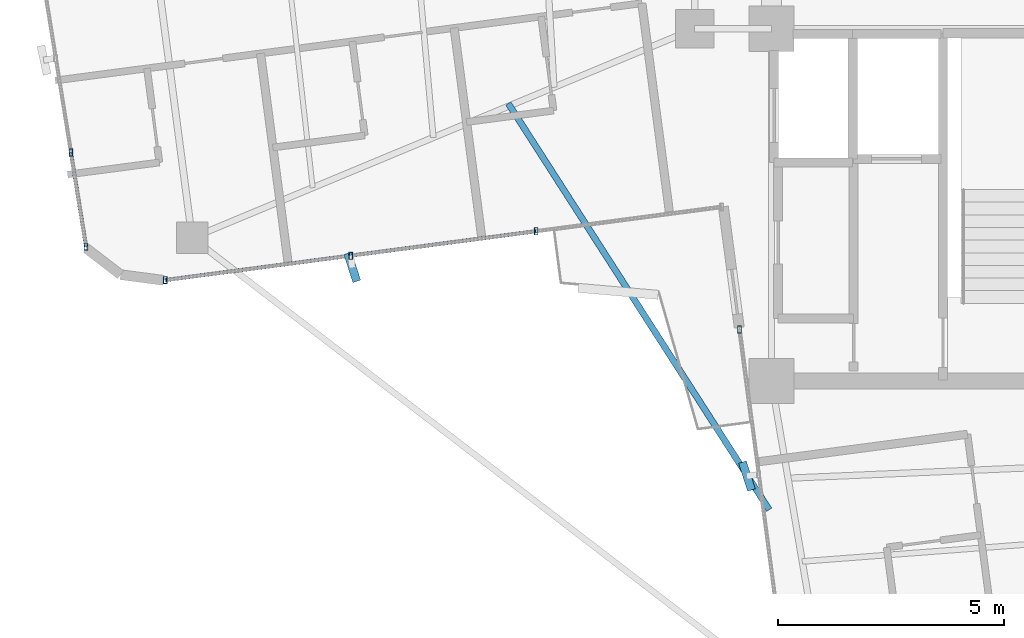
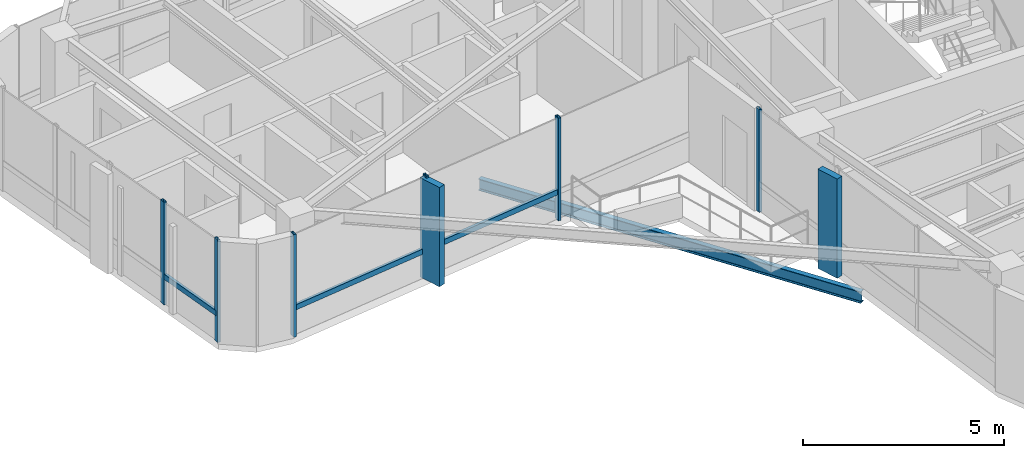
# One storey, part 2 of 22: 11 members, 1 beam, 3 elements without a shape of their own.
"""IFC4 building model written with IfcOpenShell, lengths in metres."""

from ifc_helpers import new_model, si_unit, direction, frame, origin, origin_2d, place, context, subcontext, project, spatial, rectangle, hollow_rectangle, i_section, extrude, source, transform, mapped, material, material_profile, profile_set, type_object, element, aggregate, save


model = new_model("IFC4")

# Units and contexts
model_context = context("Model", 3, precision=1e-05, world=origin(), true_north=direction((0.0, 1.0)))
body_context = subcontext(model_context, "Body", "Model", "MODEL_VIEW")
ifc_project = project(units=[si_unit("LENGTHUNIT", "METRE"), si_unit("AREAUNIT", "SQUARE_METRE"), si_unit("VOLUMEUNIT", "CUBIC_METRE"), si_unit("PLANEANGLEUNIT", "RADIAN"), si_unit("MASSUNIT", "GRAM", prefix="KILO")], contexts=[model_context])

# Site, building, storey
site_placement = place(None, origin())
site = spatial("IfcSite", under=ifc_project, at=site_placement, CompositionType="ELEMENT")
building_placement = place(site_placement, origin())
building = spatial("IfcBuilding", under=site, at=building_placement, Name="Sahyath Konkavel Grand Hotel", CompositionType="ELEMENT")
storey_placement = place(building_placement, frame((0.0, 0.0, 206.5)))
storey = spatial("IfcBuildingStorey", under=building, at=storey_placement, Name="L57", CompositionType="ELEMENT", Elevation=206.5)

# Curtain wall, member
ifc_material_1 = material(Name="Anodised Bronze Aluminium & Low-E Glazing", Category="aluminium")
curtain_wall_type = type_object("IfcCurtainWallType", Name="CW-ZONE4", PredefinedType="NOTDEFINED", material=ifc_material_1)
curtain_wall_1_placement = place(storey_placement, origin())
curtain_wall_1 = element("IfcCurtainWall", 1, at=curtain_wall_1_placement, inside=storey, type_object=curtain_wall_type, Name="L57 Unitised Curtain Wall F23", PredefinedType="NOTDEFINED")
ifc_material_2 = material(Name="Warm Buff Sandstone Cladding on Concrete C50/60", Category="masonry")
ifc_material_profile_1 = material_profile(ifc_material_2, rectangle(XDim=0.179931640625, YDim=0.64990234375, at=origin_2d()), Name="FIN 180x650")
ifc_profile_set_1 = profile_set([ifc_material_profile_1], Name="Warm Buff Sandstone Cladding on Concrete C50/60")
member_type_1 = type_object("IfcMemberType", Name="FIN-SANDSTONE-650", PredefinedType="MULLION", material=ifc_profile_set_1)
shared_shape_1 = source(origin(), body_context, "Body", "SweptSolid", [
    extrude(rectangle(XDim=0.179931640625, YDim=0.64990234375, at=origin_2d()), origin(), (0.0, 0.0, 1.0), 3.010009765625),
])
member_1_placement = place(storey_placement, frame((-13.0791015625, -7.682861328125, 0.050048828125), z_axis=(0.0, 0.0, 1.0), x_axis=(0.951110435449, 0.308850998993, 0.0)))
member_1 = element("IfcMember", 2, at=member_1_placement, type_object=member_type_1, Name="L57 Sandstone Vertical Solar Fin FIN F23-1", PredefinedType="MULLION", context=body_context, shape_type="MappedRepresentation", body=[
    mapped(shared_shape_1, transform((0.0, 0.0, 0.0), scale=1.0)),
])

curtain_wall_2_placement = place(storey_placement, origin())
curtain_wall_2 = element("IfcCurtainWall", 3, at=curtain_wall_2_placement, inside=storey, type_object=curtain_wall_type, Name="L57 Unitised Curtain Wall F24", PredefinedType="NOTDEFINED")
member_2_placement = place(storey_placement, frame((-4.341552734375, -12.302001953125, 0.050048828125), z_axis=(0.0, 0.0, 1.0), x_axis=(0.951110435449, 0.308850998993, 0.0)))
member_2 = element("IfcMember", 4, at=member_2_placement, type_object=member_type_1, Name="L57 Sandstone Vertical Solar Fin FIN F24-1", PredefinedType="MULLION", context=body_context, shape_type="MappedRepresentation", body=[
    mapped(shared_shape_1, transform((0.0, 0.0, 0.0), scale=1.0)),
])

# Curtain wall, members
curtain_wall_3_placement = place(storey_placement, origin())
curtain_wall_3 = element("IfcCurtainWall", 5, at=curtain_wall_3_placement, inside=storey, type_object=curtain_wall_type, Name="L57 Unitised Curtain Wall F20", PredefinedType="NOTDEFINED")
ifc_material_3 = material(Name="Anodised Bronze Aluminium", Category="aluminium")
ifc_material_profile_2 = material_profile(ifc_material_3, hollow_rectangle(XDim=0.080078125, YDim=0.159912109375, WallThickness=0.006103515625, at=origin_2d()), Name="RHS 160x80x6")
ifc_profile_set_2 = profile_set([ifc_material_profile_2], Name="Anodised Bronze Aluminium")
member_type_2 = type_object("IfcMemberType", Name="CW-MUL-160", PredefinedType="MULLION", material=ifc_profile_set_2)
shared_shape_2 = source(origin(), body_context, "Body", "SweptSolid", [
    extrude(hollow_rectangle(XDim=0.080078125, YDim=0.159912109375, WallThickness=0.006103515625, at=origin_2d()), origin(), (0.0, 0.0, 1.0), 3.110107421875),
])
member_3_placement = place(storey_placement, frame((-19.30908203125, -5.137939453125, 0.0), z_axis=(0.0, 0.0, 1.0), x_axis=(1.0, 0.0, 0.0)))
member_3 = element("IfcMember", 6, at=member_3_placement, type_object=member_type_2, Name="L57 Curtain Wall Mullion F20-3", PredefinedType="MULLION", context=body_context, shape_type="MappedRepresentation", body=[
    mapped(shared_shape_2, transform((0.0, 0.0, 0.0), scale=1.0)),
])
member_4_placement = place(storey_placement, frame((-18.972900390625, -7.22314453125, 0.0), z_axis=(0.0, 0.0, 1.0), x_axis=(1.0, 0.0, 0.0)))
member_4 = element("IfcMember", 7, at=member_4_placement, type_object=member_type_2, Name="L57 Curtain Wall Mullion F20-4", PredefinedType="MULLION", context=body_context, shape_type="MappedRepresentation", body=[
    mapped(shared_shape_2, transform((0.0, 0.0, 0.0), scale=1.0)),
])

# Member
member_5_placement = place(storey_placement, frame((-17.217529296875, -7.965576171875, 0.0), z_axis=(0.0, 0.0, 1.0), x_axis=(1.0, 0.0, 0.0)))
member_5 = element("IfcMember", 8, at=member_5_placement, type_object=member_type_2, Name="L57 Curtain Wall Mullion F23-0", PredefinedType="MULLION", context=body_context, shape_type="MappedRepresentation", body=[
    mapped(shared_shape_2, transform((0.0, 0.0, 0.0), scale=1.0)),
])

member_6_placement = place(storey_placement, frame((-13.113037109375, -7.425048828125, 0.0), z_axis=(0.0, 0.0, 1.0), x_axis=(1.0, 0.0, 0.0)))
member_6 = element("IfcMember", 9, at=member_6_placement, type_object=member_type_2, Name="L57 Curtain Wall Mullion F23-1", PredefinedType="MULLION", context=body_context, shape_type="MappedRepresentation", body=[
    mapped(shared_shape_2, transform((0.0, 0.0, 0.0), scale=1.0)),
])

member_7_placement = place(storey_placement, frame((-9.008544921875, -6.884765625, 0.0), z_axis=(0.0, 0.0, 1.0), x_axis=(1.0, 0.0, 0.0)))
member_7 = element("IfcMember", 10, at=member_7_placement, type_object=member_type_2, Name="L57 Curtain Wall Mullion F23-2", PredefinedType="MULLION", context=body_context, shape_type="MappedRepresentation", body=[
    mapped(shared_shape_2, transform((0.0, 0.0, 0.0), scale=1.0)),
])

member_8_placement = place(storey_placement, frame((-4.506591796875, -9.0556640625, 0.0), z_axis=(0.0, 0.0, 1.0), x_axis=(1.0, 0.0, 0.0)))
member_8 = element("IfcMember", 11, at=member_8_placement, type_object=member_type_2, Name="L57 Curtain Wall Mullion F24-0", PredefinedType="MULLION", context=body_context, shape_type="MappedRepresentation", body=[
    mapped(shared_shape_2, transform((0.0, 0.0, 0.0), scale=1.0)),
])

aggregate(curtain_wall_2, [member_8, member_2])

# Beam
ifc_material_4 = material(Name="Steel E350", Category="steel")
ifc_material_profile_3 = material_profile(ifc_material_4, i_section(OverallWidth=0.139892578125, OverallDepth=0.35009765625, WebThickness=0.008056640625, FlangeThickness=0.01416015625, FilletRadius=0.013916015625, at=origin_2d()), Name="ISMB 350")
ifc_profile_set_3 = profile_set([ifc_material_profile_3], Name="Steel E350")
beam_type = type_object("IfcBeamType", Name="BM-BALC-CANT", PredefinedType="BEAM", material=ifc_profile_set_3)
shared_shape_3 = source(origin(), body_context, "Body", "SweptSolid", [
    extrude(i_section(OverallWidth=0.139892578125, OverallDepth=0.35009765625, WebThickness=0.008056640625, FlangeThickness=0.01416015625, FilletRadius=0.013916015625, at=origin_2d()), origin(), (0.0, 0.0, 1.0), 10.685302734375),
])
beam_placement = place(storey_placement, frame((-9.62353515625, -4.0576171875, -0.4150390625), z_axis=(0.540404181048, -0.841405562797, 0.0), x_axis=(0.841405562797, 0.540404181048, 0.0)))
element("IfcBeam", 12, at=beam_placement, inside=storey, type_object=beam_type, Name="L57 Balcony Cantilever Support Beam SW", PredefinedType="BEAM", context=body_context, shape_type="MappedRepresentation", body=[
    mapped(shared_shape_3, transform((0.0, 0.0, 0.0), scale=1.0)),
])

# Member
ifc_material_profile_4 = material_profile(ifc_material_3, hollow_rectangle(XDim=0.080078125, YDim=0.159912109375, WallThickness=0.006103515625, at=origin_2d()), Name="RHS 160x80x6")
ifc_profile_set_4 = profile_set([ifc_material_profile_4], Name="Anodised Bronze Aluminium")
member_type_3 = type_object("IfcMemberType", Name="CW-TRN-160", PredefinedType="USERDEFINED", material=ifc_profile_set_4)
shared_shape_4 = source(origin(), body_context, "Body", "SweptSolid", [
    extrude(hollow_rectangle(XDim=0.080078125, YDim=0.159912109375, WallThickness=0.006103515625, at=origin_2d()), origin(), (0.0, 0.0, 1.0), 2.112060546875),
])
member_9_placement = place(storey_placement, frame((-19.30908203125, -5.137939453125, 0.85009765625), z_axis=(0.159167023612, -0.98725166933, 0.0), x_axis=(0.98725166933, 0.159167023612, 0.0)))
member_9 = element("IfcMember", 13, at=member_9_placement, type_object=member_type_3, Name="L57 Curtain Wall Transom F20-3-spandrel", ObjectType="TRANSOM", PredefinedType="USERDEFINED", context=body_context, shape_type="MappedRepresentation", body=[
    mapped(shared_shape_4, transform((0.0, 0.0, 0.0), scale=1.0)),
])

aggregate(curtain_wall_3, [member_3, member_4, member_9])

shared_shape_5 = source(origin(), body_context, "Body", "SweptSolid", [
    extrude(hollow_rectangle(XDim=0.080078125, YDim=0.159912109375, WallThickness=0.006103515625, at=origin_2d()), origin(), (0.0, 0.0, 1.0), 4.139892578125),
])
member_10_placement = place(storey_placement, frame((-17.217529296875, -7.965576171875, 0.85009765625), z_axis=(0.991439837467, 0.130564346904, 0.0), x_axis=(-0.130564346904, 0.991439837467, 0.0)))
member_10 = element("IfcMember", 14, at=member_10_placement, type_object=member_type_3, Name="L57 Curtain Wall Transom F23-0-spandrel", ObjectType="TRANSOM", PredefinedType="USERDEFINED", context=body_context, shape_type="MappedRepresentation", body=[
    mapped(shared_shape_5, transform((0.0, 0.0, 0.0), scale=1.0)),
])

member_11_placement = place(storey_placement, frame((-13.113037109375, -7.425048828125, 0.85009765625), z_axis=(0.991447469582, 0.130506379383, 0.0), x_axis=(-0.130506379383, 0.991447469582, 0.0)))
member_11 = element("IfcMember", 15, at=member_11_placement, type_object=member_type_3, Name="L57 Curtain Wall Transom F23-1-spandrel", ObjectType="TRANSOM", PredefinedType="USERDEFINED", context=body_context, shape_type="MappedRepresentation", body=[
    mapped(shared_shape_5, transform((0.0, 0.0, 0.0), scale=1.0)),
])

aggregate(curtain_wall_1, [member_5, member_6, member_1, member_7, member_10, member_11])

save(model, "model.ifc")
